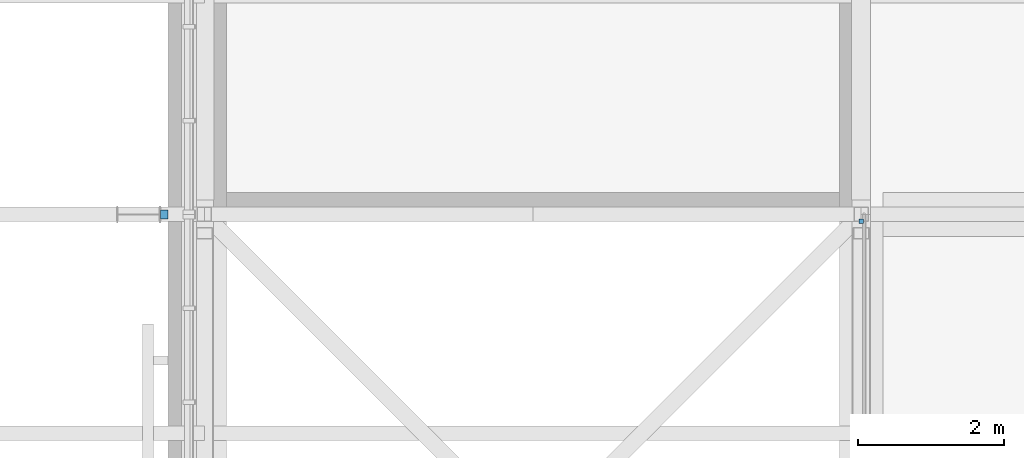
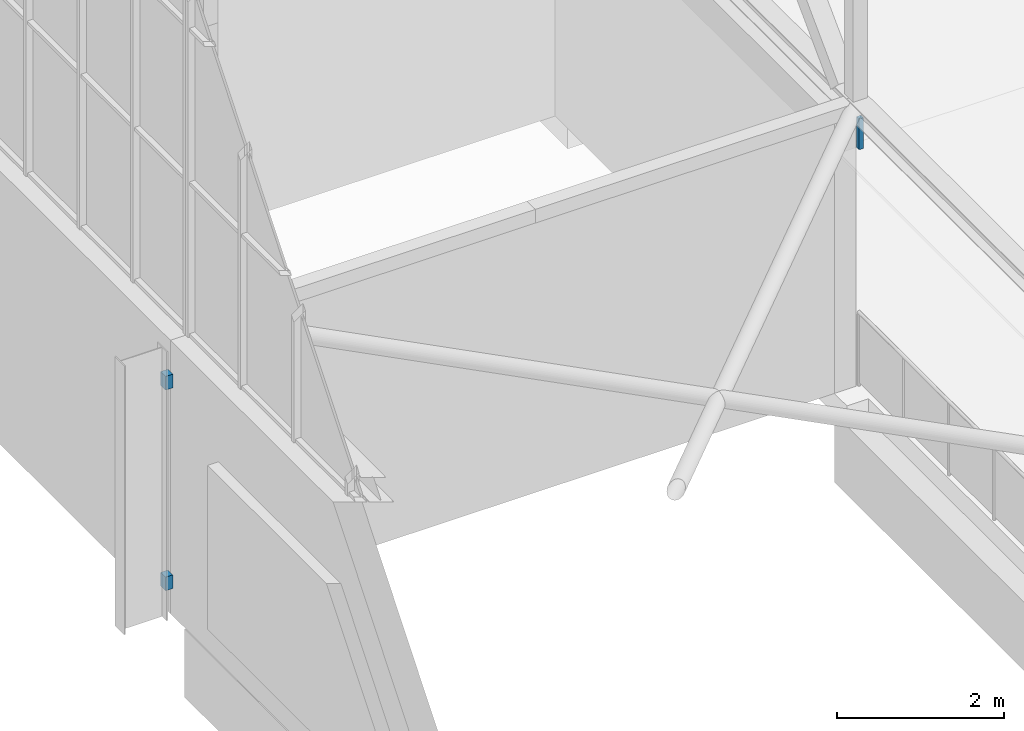
# One storey, part 197 of 646: 3 discrete accessories.
"""IFC4 building model written with IfcOpenShell, lengths in metres."""

from ifc_helpers import new_model, si_unit, direction, frame, origin, origin_2d, place, context, subcontext, project, spatial, rectangle, extrude, material, type_object, element, save


model = new_model("IFC4")

# Units and contexts
model_context = context("Model", 3, precision=1e-05, world=origin(), true_north=direction((0.0, 1.0)))
body_context = subcontext(model_context, "Body", "Model", "MODEL_VIEW")
ifc_project = project(units=[si_unit("LENGTHUNIT", "METRE"), si_unit("AREAUNIT", "SQUARE_METRE"), si_unit("VOLUMEUNIT", "CUBIC_METRE"), si_unit("PLANEANGLEUNIT", "RADIAN"), si_unit("MASSUNIT", "GRAM", prefix="KILO")], contexts=[model_context])

# Site, building, storey
site_placement = place(None, origin())
site = spatial("IfcSite", under=ifc_project, at=site_placement, CompositionType="ELEMENT")
building_placement = place(site_placement, origin())
building = spatial("IfcBuilding", under=site, at=building_placement, Name="Silverbay Arena", CompositionType="ELEMENT")
storey_placement = place(building_placement, frame((0.0, 0.0, 33.5)))
storey = spatial("IfcBuildingStorey", under=building, at=storey_placement, Name="L05", CompositionType="ELEMENT", Elevation=33.5)

# Discrete accessories
ifc_material_1 = material(Name="Steel S355", Category="steel")
discrete_accessory_type_1 = type_object("IfcDiscreteAccessoryType", Name="Ceiling hanger", PredefinedType="BRACKET", material=ifc_material_1)
discrete_accessory_placement = place(storey_placement, frame((63.0, 89.905029296875, 3.5498046875), z_axis=(0.0, 0.0, 1.0), x_axis=(1.0, 0.0, 0.0)))
element("IfcDiscreteAccessory", 1, at=discrete_accessory_placement, inside=storey, type_object=discrete_accessory_type_1, Name="Ceiling hanger", PredefinedType="BRACKET", context=body_context, shape_type="SweptSolid", body=[
    extrude(rectangle(XDim=0.06005859375, YDim=0.06005859375, at=origin_2d()), origin(), (0.0, 0.0, 1.0), 0.449951171875),
])
ifc_material_2 = material(Name="Steel S355", Category="steel")
discrete_accessory_type_2 = type_object("IfcDiscreteAccessoryType", Name="Steel bracket plate", PredefinedType="BRACKET", material=ifc_material_2)
for number, where, z_axis, x_axis, name in (
    (2, (53.449951171875, 90.0, 0.39990234375), (0.0, 0.0, 1.0), (1.0, 0.0, 0.0), "Fin bracket"),
    (3, (53.449951171875, 90.0, 3.33984375), (0.0, 0.0, 1.0), (1.0, 0.0, 0.0), "Fin bracket"),
):
    element("IfcDiscreteAccessory", number, at=place(storey_placement, frame(where, z_axis=z_axis, x_axis=x_axis)), inside=storey, type_object=discrete_accessory_type_2, Name=name, PredefinedType="BRACKET", context=body_context, shape_type="SweptSolid", body=[
        extrude(rectangle(XDim=0.10009765625, YDim=0.1201171875, at=origin_2d()), origin(), (0.0, 0.0, 1.0), 0.199951171875),
    ])

save(model, "model.ifc")
